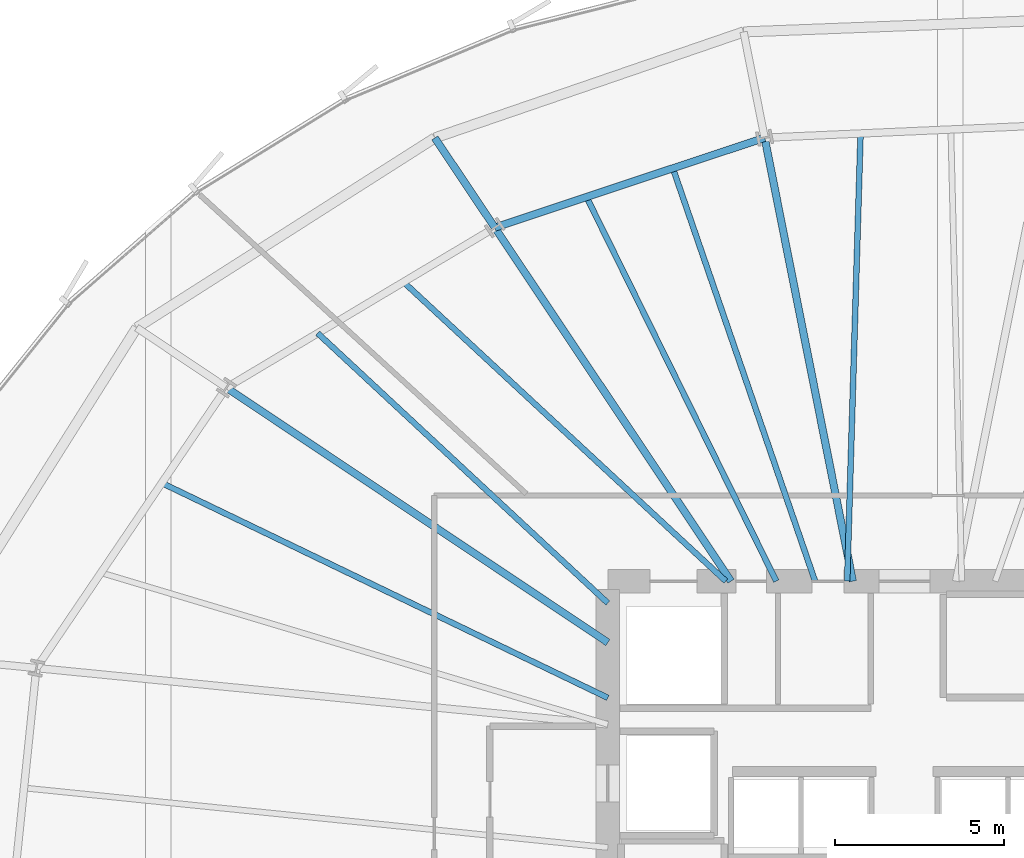
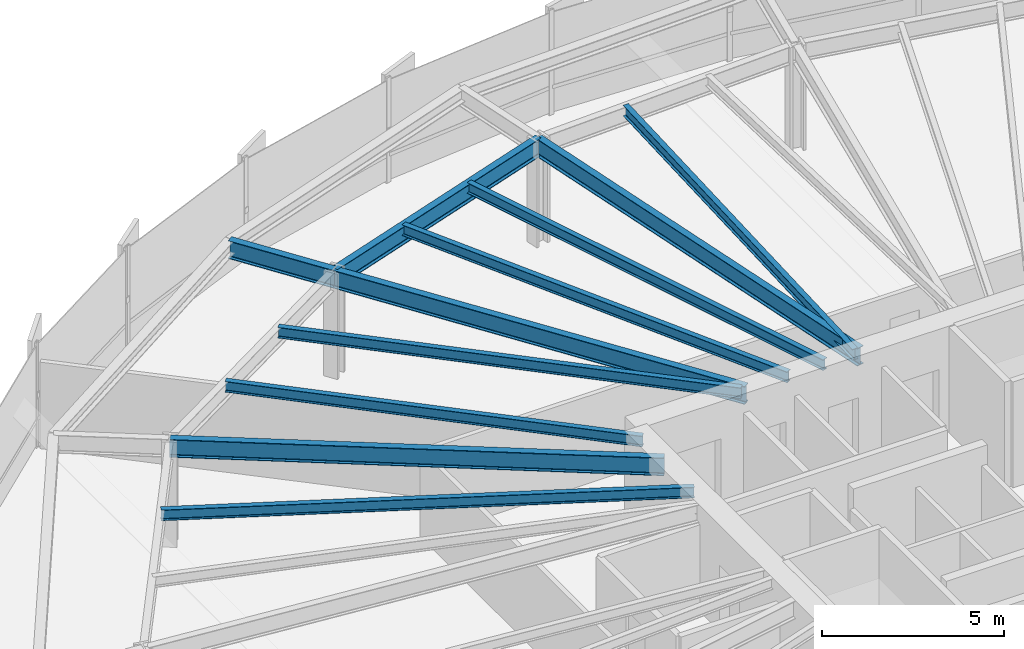
# One storey, part 23 of 42: 11 beams.
"""IFC4 building model written with IfcOpenShell, lengths in metres."""

from ifc_helpers import new_model, si_unit, direction, frame, origin, origin_2d, place, context, subcontext, project, spatial, i_section, extrude, source, transform, mapped, material, material_profile, profile_set, type_object, element, save


model = new_model("IFC4")

# Units and contexts
model_context = context("Model", 3, precision=1e-05, world=origin(), true_north=direction((0.0, 1.0)))
body_context = subcontext(model_context, "Body", "Model", "MODEL_VIEW")
ifc_project = project(units=[si_unit("LENGTHUNIT", "METRE"), si_unit("AREAUNIT", "SQUARE_METRE"), si_unit("VOLUMEUNIT", "CUBIC_METRE"), si_unit("PLANEANGLEUNIT", "RADIAN"), si_unit("MASSUNIT", "GRAM", prefix="KILO"), si_unit("THERMODYNAMICTEMPERATUREUNIT", "KELVIN")], contexts=[model_context])

# Site, building, storey
site_placement = place(None, origin())
site = spatial("IfcSite", under=ifc_project, at=site_placement, CompositionType="ELEMENT")
building_placement = place(site_placement, origin())
building = spatial("IfcBuilding", under=site, at=building_placement, Name="Kethvar Cultural Tower", CompositionType="ELEMENT")
storey_placement = place(building_placement, frame((0.0, 0.0, 37.199951171875)))
storey = spatial("IfcBuildingStorey", under=building, at=storey_placement, Name="L08", CompositionType="ELEMENT", Elevation=37.199951171875)

# Beams
ifc_material = material(Name="Steel S355J2", Category="steel")
ifc_material_profile_1 = material_profile(ifc_material, i_section(OverallWidth=0.219970703125, OverallDepth=0.60009765625, WebThickness=0.011962890625, FlangeThickness=0.01904296875, FilletRadius=0.02392578125, at=origin_2d()), Name="Steel S355J2 — IPE600")
ifc_profile_set_1 = profile_set([ifc_material_profile_1], Name="Steel S355J2 — IPE600")
beam_type_1 = type_object("IfcBeamType", Name="BM-IPE600", PredefinedType="BEAM", material=ifc_profile_set_1)
shared_shape_1 = source(origin(), body_context, "Body", "SweptSolid", [
    extrude(i_section(OverallWidth=0.219970703125, OverallDepth=0.60009765625, WebThickness=0.011962890625, FlangeThickness=0.01904296875, FilletRadius=0.02392578125, at=origin_2d()), origin(), (0.0, 0.0, 1.0), 3.199951171875),
])
beam_1_placement = place(storey_placement, frame((34.64599609375, 45.98974609375, 3.248046875), z_axis=(-0.555580212716, 0.831462943996, 0.0), x_axis=(-0.831462943996, -0.555580212716, 0.0)))
element("IfcBeam", 1, at=beam_1_placement, inside=storey, type_object=beam_type_1, Name="L08 Perimeter Cantilever Beam RC-06", PredefinedType="BEAM", context=body_context, shape_type="MappedRepresentation", body=[
    mapped(shared_shape_1, transform((0.0, 0.0, 0.0), scale=1.0)),
])
shared_shape_2 = source(origin(), body_context, "Body", "SweptSolid", [
    extrude(i_section(OverallWidth=0.219970703125, OverallDepth=0.60009765625, WebThickness=0.011962890625, FlangeThickness=0.01904296875, FilletRadius=0.02392578125, at=origin_2d()), origin(), (0.0, 0.0, 1.0), 13.41357421875),
])
beam_2_placement = place(storey_placement, frame((45.268310546875, 35.5, 3.248046875), z_axis=(-0.195079960025, 0.980787341474, 0.0), x_axis=(-0.980787341474, -0.195079960025, 0.0)))
element("IfcBeam", 2, at=beam_2_placement, inside=storey, type_object=beam_type_1, Name="L08 Primary Radial Beam RB-05", PredefinedType="BEAM", context=body_context, shape_type="MappedRepresentation", body=[
    mapped(shared_shape_2, transform((0.0, 0.0, 0.0), scale=1.0)),
])
shared_shape_3 = source(origin(), body_context, "Body", "SweptSolid", [
    extrude(i_section(OverallWidth=0.219970703125, OverallDepth=0.60009765625, WebThickness=0.011962890625, FlangeThickness=0.01904296875, FilletRadius=0.02392578125, at=origin_2d()), origin(), (0.0, 0.0, 1.0), 12.615966796875),
])
beam_3_placement = place(storey_placement, frame((41.655029296875, 35.5, 3.248046875), z_axis=(-0.555570723257, 0.831469284736, 0.0), x_axis=(-0.831469284736, -0.555570723257, 0.0)))
element("IfcBeam", 3, at=beam_3_placement, inside=storey, type_object=beam_type_1, Name="L08 Primary Radial Beam RB-06", PredefinedType="BEAM", context=body_context, shape_type="MappedRepresentation", body=[
    mapped(shared_shape_3, transform((0.0, 0.0, 0.0), scale=1.0)),
])
shared_shape_4 = source(origin(), body_context, "Body", "SweptSolid", [
    extrude(i_section(OverallWidth=0.219970703125, OverallDepth=0.60009765625, WebThickness=0.011962890625, FlangeThickness=0.01904296875, FilletRadius=0.02392578125, at=origin_2d()), origin(), (0.0, 0.0, 1.0), 13.60888671875),
])
beam_4_placement = place(storey_placement, frame((38.0, 33.679931640625, 3.248046875), z_axis=(-0.831467486755, 0.555573414113, 0.0), x_axis=(-0.555573414113, -0.831467486755, 0.0)))
element("IfcBeam", 4, at=beam_4_placement, inside=storey, type_object=beam_type_1, Name="L08 Primary Radial Beam RB-07", PredefinedType="BEAM", context=body_context, shape_type="MappedRepresentation", body=[
    mapped(shared_shape_4, transform((0.0, 0.0, 0.0), scale=1.0)),
])
ifc_material_profile_2 = material_profile(ifc_material, i_section(OverallWidth=0.169921875, OverallDepth=0.360107421875, WebThickness=0.008056640625, FlangeThickness=0.0126953125, FilletRadius=0.01806640625, at=origin_2d()), Name="Steel S355J2 — IPE360")
ifc_profile_set_2 = profile_set([ifc_material_profile_2], Name="Steel S355J2 — IPE360")
beam_type_2 = type_object("IfcBeamType", Name="BM-J360", PredefinedType="JOIST", material=ifc_profile_set_2)
shared_shape_5 = source(origin(), body_context, "Body", "SweptSolid", [
    extrude(i_section(OverallWidth=0.169921875, OverallDepth=0.360107421875, WebThickness=0.008056640625, FlangeThickness=0.0126953125, FilletRadius=0.01806640625, at=origin_2d()), origin(), (0.0, 0.0, 1.0), 13.287353515625),
])
beam_5_placement = place(storey_placement, frame((45.10009765625, 35.5, 3.3681640625), z_axis=(0.029912529234, 0.999552520178, 0.0), x_axis=(-0.999552520178, 0.029912529234, 0.0)))
element("IfcBeam", 5, at=beam_5_placement, inside=storey, type_object=beam_type_2, Name="L08 Composite Floor Joist J-04B", PredefinedType="JOIST", context=body_context, shape_type="MappedRepresentation", body=[
    mapped(shared_shape_5, transform((0.0, 0.0, 0.0), scale=1.0)),
])
shared_shape_6 = source(origin(), body_context, "Body", "SweptSolid", [
    extrude(i_section(OverallWidth=0.219970703125, OverallDepth=0.60009765625, WebThickness=0.011962890625, FlangeThickness=0.01904296875, FilletRadius=0.02392578125, at=origin_2d()), origin(), (0.0, 0.0, 1.0), 8.437744140625),
])
beam_6_placement = place(storey_placement, frame((42.651611328125, 48.65576171875, 3.248046875), z_axis=(-0.948772955115, -0.315958667618, 0.0), x_axis=(0.315958667618, -0.948772955115, 0.0)))
element("IfcBeam", 6, at=beam_6_placement, inside=storey, type_object=beam_type_1, Name="L08 Column Ring Tie Beam CR-05", PredefinedType="BEAM", context=body_context, shape_type="MappedRepresentation", body=[
    mapped(shared_shape_6, transform((0.0, 0.0, 0.0), scale=1.0)),
])
shared_shape_7 = source(origin(), body_context, "Body", "SweptSolid", [
    extrude(i_section(OverallWidth=0.169921875, OverallDepth=0.360107421875, WebThickness=0.008056640625, FlangeThickness=0.0126953125, FilletRadius=0.01806640625, at=origin_2d()), origin(), (0.0, 0.0, 1.0), 12.955322265625),
])
beam_7_placement = place(storey_placement, frame((44.148193359375, 35.5, 3.3681640625), z_axis=(-0.325619549533, 0.945500877293, 0.0), x_axis=(-0.945500877293, -0.325619549533, 0.0)))
element("IfcBeam", 7, at=beam_7_placement, inside=storey, type_object=beam_type_2, Name="L08 Composite Floor Joist J-05A", PredefinedType="JOIST", context=body_context, shape_type="MappedRepresentation", body=[
    mapped(shared_shape_7, transform((0.0, 0.0, 0.0), scale=1.0)),
])
shared_shape_8 = source(origin(), body_context, "Body", "SweptSolid", [
    extrude(i_section(OverallWidth=0.169921875, OverallDepth=0.360107421875, WebThickness=0.008056640625, FlangeThickness=0.0126953125, FilletRadius=0.01806640625, at=origin_2d()), origin(), (0.0, 0.0, 1.0), 12.710693359375),
])
beam_8_placement = place(storey_placement, frame((42.996826171875, 35.5, 3.3681640625), z_axis=(-0.442851992051, 0.896594731825, 0.0), x_axis=(-0.896594731825, -0.442851992051, 0.0)))
element("IfcBeam", 8, at=beam_8_placement, inside=storey, type_object=beam_type_2, Name="L08 Composite Floor Joist J-05B", PredefinedType="JOIST", context=body_context, shape_type="MappedRepresentation", body=[
    mapped(shared_shape_8, transform((0.0, 0.0, 0.0), scale=1.0)),
])
shared_shape_9 = source(origin(), body_context, "Body", "SweptSolid", [
    extrude(i_section(OverallWidth=0.169921875, OverallDepth=0.360107421875, WebThickness=0.008056640625, FlangeThickness=0.0126953125, FilletRadius=0.01806640625, at=origin_2d()), origin(), (0.0, 0.0, 1.0), 13.045166015625),
])
beam_9_placement = place(storey_placement, frame((41.5, 35.5, 3.3681640625), z_axis=(-0.732903465528, 0.680332646737, 0.0), x_axis=(-0.680332646737, -0.732903465528, 0.0)))
element("IfcBeam", 9, at=beam_9_placement, inside=storey, type_object=beam_type_2, Name="L08 Composite Floor Joist J-06A", PredefinedType="JOIST", context=body_context, shape_type="MappedRepresentation", body=[
    mapped(shared_shape_9, transform((0.0, 0.0, 0.0), scale=1.0)),
])
shared_shape_10 = source(origin(), body_context, "Body", "SweptSolid", [
    extrude(i_section(OverallWidth=0.169921875, OverallDepth=0.360107421875, WebThickness=0.008056640625, FlangeThickness=0.0126953125, FilletRadius=0.01806640625, at=origin_2d()), origin(), (0.0, 0.0, 1.0), 11.75537109375),
])
beam_10_placement = place(storey_placement, frame((38.0, 34.85009765625, 3.3681640625), z_axis=(-0.732290300234, 0.680992596276, 0.0), x_axis=(-0.680992596276, -0.732290300234, 0.0)))
element("IfcBeam", 10, at=beam_10_placement, inside=storey, type_object=beam_type_2, Name="L08 Composite Floor Joist J-06B", PredefinedType="JOIST", context=body_context, shape_type="MappedRepresentation", body=[
    mapped(shared_shape_10, transform((0.0, 0.0, 0.0), scale=1.0)),
])
shared_shape_11 = source(origin(), body_context, "Body", "SweptSolid", [
    extrude(i_section(OverallWidth=0.169921875, OverallDepth=0.360107421875, WebThickness=0.008056640625, FlangeThickness=0.0126953125, FilletRadius=0.01806640625, at=origin_2d()), origin(), (0.0, 0.0, 1.0), 14.687255859375),
])
beam_11_placement = place(storey_placement, frame((38.0, 32.038818359375, 3.3681640625), z_axis=(-0.900928984091, 0.433966548971, 0.0), x_axis=(-0.433966548971, -0.900928984091, 0.0)))
element("IfcBeam", 11, at=beam_11_placement, inside=storey, type_object=beam_type_2, Name="L08 Composite Floor Joist J-07A", PredefinedType="JOIST", context=body_context, shape_type="MappedRepresentation", body=[
    mapped(shared_shape_11, transform((0.0, 0.0, 0.0), scale=1.0)),
])

save(model, "model.ifc")
